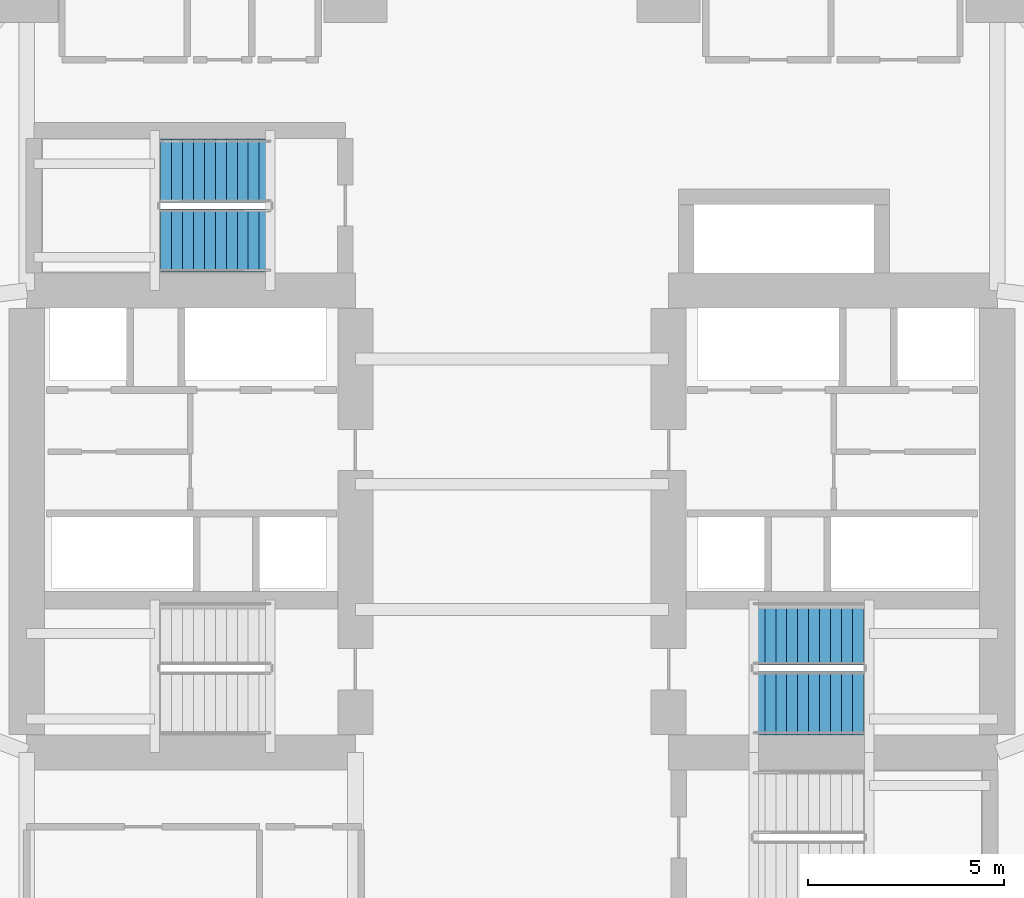
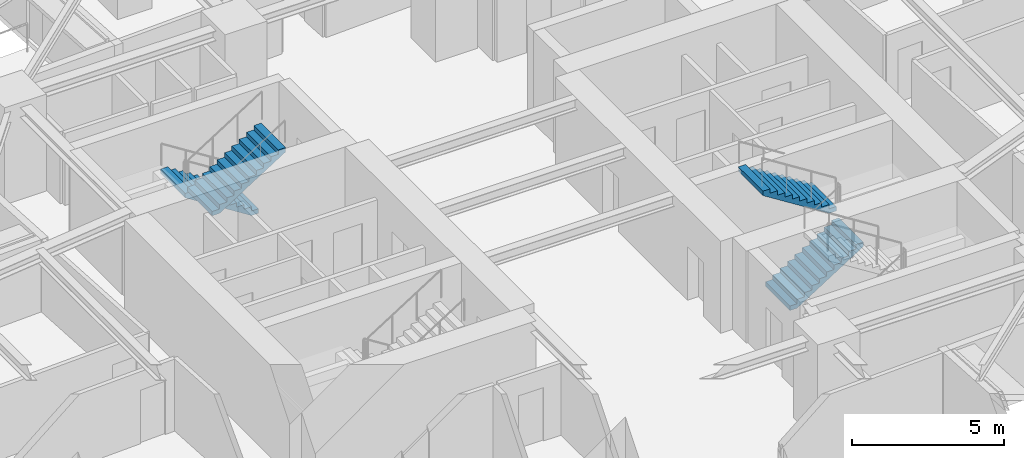
# One storey, part 9 of 14: 4 stair flights, 2 elements without a shape of their own.
"""IFC4 building model written with IfcOpenShell, lengths in metres."""

import ifcopenshell
import ifcopenshell.guid

model = None  # the IFC model being written
_history = None  # IfcOwnerHistory: only IFC2X3 demands one
_inside = {}  # id of a spatial element -> (the spatial element, [elements in it])
_under = {}  # id of a project, library or spatial element -> (it, [spatial elements below it])
_declared = {}  # id of a project -> (the project, [libraries it declares])
_typed = {}  # id of a type object -> (the type object, [elements of that type])
_made_of = {}  # id of a material, layer set ... -> (it, [elements and type objects made of it])


def new_model(schema):
    """Start an empty IFC model of exactly this schema.

    Asked for "IFC4X3", IfcOpenShell would pick the latest addendum, in which some entities
    have other attributes; the version numbers below select the first issue.
    IFC2X3 requires an IfcOwnerHistory on every rooted entity: one is made here for all.
    """
    global model, _history
    if schema == "IFC4X3":
        model = ifcopenshell.file(schema_version=(4, 3, 0, 0))
    else:
        model = ifcopenshell.file(schema=schema)
    _inside.clear()
    _under.clear()
    _declared.clear()
    _typed.clear()
    _made_of.clear()
    _history = None
    if model.schema == "IFC2X3":
        org = make("IfcOrganization", Name="unknown")
        user = make(
            "IfcPersonAndOrganization",
            ThePerson=make("IfcPerson", FamilyName="unknown"),
            TheOrganization=org,
        )
        app = make(
            "IfcApplication",
            ApplicationDeveloper=org,
            Version="unknown",
            ApplicationFullName="unknown",
            ApplicationIdentifier="unknown",
        )
        _history = make(
            "IfcOwnerHistory",
            OwningUser=user,
            OwningApplication=app,
            ChangeAction="ADDED",
            CreationDate=0,
        )
    return model


def make(cls, **values):
    """One entity of the class cls with the attributes given. An attribute that is None is left unset."""
    return model.create_entity(
        cls, **{name: value for name, value in values.items() if value is not None}
    )


def rooted(cls, **values):
    """An entity with a GlobalId (a new one), such as an element, a storey or a relation."""
    return make(cls, GlobalId=ifcopenshell.guid.new(), OwnerHistory=_history, **values)


def si_unit(unit_type, name, prefix=None):
    """IfcSIUnit, for example si_unit("LENGTHUNIT", "METRE", prefix="MILLI")."""
    return make("IfcSIUnit", UnitType=unit_type, Prefix=prefix, Name=name)


def assignment(units):
    """IfcUnitAssignment: the units of a project."""
    return None if units is None else make("IfcUnitAssignment", Units=units)


def point(xyz):
    """IfcCartesianPoint."""
    return None if xyz is None else make("IfcCartesianPoint", Coordinates=xyz)


def direction(xyz):
    """IfcDirection."""
    return None if xyz is None else make("IfcDirection", DirectionRatios=xyz)


def frame(location, z_axis=None, x_axis=None):
    """IfcAxis2Placement3D, a coordinate frame: its origin and axes. An axis left out is left unset."""
    return make(
        "IfcAxis2Placement3D",
        Location=point(location),
        Axis=direction(z_axis),
        RefDirection=direction(x_axis),
    )


def origin():
    """The frame at (0, 0, 0) with its axes left unset."""
    return frame((0.0, 0.0, 0.0))


def place(relative_to, where):
    """IfcLocalPlacement: puts the frame where relative to a parent placement (None: the world)."""
    return make(
        "IfcLocalPlacement", PlacementRelTo=relative_to, RelativePlacement=where
    )


def context(
    kind, dimensions, precision=None, world=None, true_north=None, identifier=None
):
    """IfcGeometricRepresentationContext, for example the 3D "Model" context."""
    return make(
        "IfcGeometricRepresentationContext",
        ContextIdentifier=identifier,
        ContextType=kind,
        CoordinateSpaceDimension=dimensions,
        Precision=precision,
        WorldCoordinateSystem=world,
        TrueNorth=true_north,
    )


def subcontext(parent, identifier, kind, view, scale=None):
    """IfcGeometricRepresentationSubContext, for example "Body" below "Model"."""
    return make(
        "IfcGeometricRepresentationSubContext",
        ContextIdentifier=identifier,
        ContextType=kind,
        ParentContext=parent,
        TargetScale=scale,
        TargetView=view,
    )


def project(units=None, contexts=None):
    """IfcProject with its units and contexts."""
    return rooted(
        "IfcProject",
        Name="project",
        RepresentationContexts=contexts,
        UnitsInContext=assignment(units),
    )


def spatial(cls, under=None, at=None, **own):
    """A site, building, storey or space (cls), placed at a placement, below another one or the project."""
    s = rooted(cls, ObjectPlacement=at, **own)
    if under is not None:
        _under.setdefault(under.id(), (under, []))[1].append(s)
    return s


def polyline(points):
    """IfcPolyline through the points."""
    return make("IfcPolyline", Points=[point(p) for p in points])


def outline(outer, holes=None, kind="AREA"):
    """IfcArbitraryClosedProfileDef: a profile drawn as a closed curve; with holes, ...WithVoids."""
    if holes is None:
        return make("IfcArbitraryClosedProfileDef", ProfileType=kind, OuterCurve=outer)
    return make(
        "IfcArbitraryProfileDefWithVoids",
        ProfileType=kind,
        OuterCurve=outer,
        InnerCurves=holes,
    )


def extrude(swept, where, along, depth):
    """IfcExtrudedAreaSolid: the profile swept, set in the frame where, extruded along a direction by depth."""
    return make(
        "IfcExtrudedAreaSolid",
        SweptArea=swept,
        Position=where,
        ExtrudedDirection=direction(along),
        Depth=depth,
    )


def shape(context_of_items, identifier, shape_type, items):
    """IfcShapeRepresentation: the items that make up one representation, for example the "Body"."""
    return make(
        "IfcShapeRepresentation",
        ContextOfItems=context_of_items,
        RepresentationIdentifier=identifier,
        RepresentationType=shape_type,
        Items=items,
    )


def material(Name=None, Category=None):
    """IfcMaterial."""
    return make("IfcMaterial", Name=Name, Category=Category)


def layer(
    of_material, thickness, ventilated=None, Name=None, Category=None, Priority=None
):
    """IfcMaterialLayer: one layer of a wall or slab, of a material (None: an air gap)."""
    return make(
        "IfcMaterialLayer",
        Material=of_material,
        LayerThickness=thickness,
        IsVentilated=ventilated,
        Name=Name,
        Category=Category,
        Priority=Priority,
    )


def layer_set(layers, Name=None):
    """IfcMaterialLayerSet."""
    return make("IfcMaterialLayerSet", MaterialLayers=layers, LayerSetName=Name)


def made_of(thing, what):
    """Note that an element or type object is made of a material, layer set ...; save() writes the relation."""
    if what is not None:
        _made_of.setdefault(what.id(), (what, []))[1].append(thing)
    return thing


def type_object(cls, material=None, **own):
    """A type object (cls), such as IfcWallType, which elements share."""
    return made_of(rooted(cls, **own), material)


def element(
    cls,
    number,
    at=None,
    inside=None,
    cuts=None,
    type_object=None,
    material=None,
    context=None,
    identifier="Body",
    shape_type=None,
    held_by="IfcProductDefinitionShape",
    body=None,
    shapes=None,
    **own,
):
    """One element of the class cls, such as IfcWall. Its Tag is "e" and its number.

    at: its placement. inside: the storey or other place that contains it. cuts: it is an
    opening in that element (IfcRelVoidsElement). A single representation is given by context,
    identifier, shape_type and body (its items); several are given by shapes. held_by: the class
    of the entity that holds the representations. save() writes the other relations.
    """
    e = rooted(cls, Tag="e%d" % number, ObjectPlacement=at, **own)
    if body is not None:
        shapes = [shape(context, identifier, shape_type, body)]
    if shapes is not None:
        e.Representation = make(held_by, Representations=shapes)
    if inside is not None:
        _inside.setdefault(inside.id(), (inside, []))[1].append(e)
    if cuts is not None:
        rooted(
            "IfcRelVoidsElement", RelatingBuildingElement=cuts, RelatedOpeningElement=e
        )
    if type_object is not None:
        _typed.setdefault(type_object.id(), (type_object, []))[1].append(e)
    return made_of(e, material)


def aggregate(whole, parts):
    """IfcRelAggregates: a whole, such as a stair, and the parts it consists of."""
    return rooted("IfcRelAggregates", RelatingObject=whole, RelatedObjects=parts)


def save(model, path):
    """Write the relations noted so far, then the file.

    IfcRelAggregates (storeys below a building ...), IfcRelContainedInSpatialStructure (elements
    in a storey), IfcRelDefinesByType, IfcRelAssociatesMaterial and IfcRelDeclares: one each for
    every whole, place, type object, material and project.
    """
    for whole, parts in _under.values():
        aggregate(whole, parts)
    for where, things in _inside.values():
        rooted(
            "IfcRelContainedInSpatialStructure",
            RelatedElements=things,
            RelatingStructure=where,
        )
    for kind, things in _typed.values():
        rooted("IfcRelDefinesByType", RelatedObjects=things, RelatingType=kind)
    for what, things in _made_of.values():
        rooted("IfcRelAssociatesMaterial", RelatedObjects=things, RelatingMaterial=what)
    for by, libraries in _declared.values():
        rooted("IfcRelDeclares", RelatingContext=by, RelatedDefinitions=libraries)
    model.write(path)


model = new_model("IFC4")

# Units and contexts
model_context = context("Model", 3, precision=1e-05, world=origin(), true_north=direction((0.0, 1.0)))
body_context = subcontext(model_context, "Body", "Model", "MODEL_VIEW")
ifc_project = project(units=[si_unit("LENGTHUNIT", "METRE"), si_unit("AREAUNIT", "SQUARE_METRE"), si_unit("VOLUMEUNIT", "CUBIC_METRE"), si_unit("PLANEANGLEUNIT", "RADIAN"), si_unit("MASSUNIT", "GRAM", prefix="KILO")], contexts=[model_context])

# Site, building, storey
site_placement = place(None, origin())
site = spatial("IfcSite", under=ifc_project, at=site_placement, CompositionType="ELEMENT")
building_placement = place(site_placement, origin())
building = spatial("IfcBuilding", under=site, at=building_placement, Name="Qingluan Cross Belvedere", CompositionType="ELEMENT")
storey_placement = place(building_placement, frame((0.0, 0.0, 35.39990234375)))
storey = spatial("IfcBuildingStorey", under=building, at=storey_placement, Name="L09", CompositionType="ELEMENT", Elevation=35.39990234375)

# Stair, stair flights
ifc_material_1 = material(Name="Concrete C40", Category="concrete")
stair_type = type_object("IfcStairType", Name="CoreDoglegStair_1620", PredefinedType="HALF_TURN_STAIR", material=ifc_material_1)
stair_1_placement = place(storey_placement, origin())
stair_1 = element("IfcStair", 1, at=stair_1_placement, inside=storey, type_object=stair_type, Name="L09 ST2", PredefinedType="HALF_TURN_STAIR")
ifc_material_2 = material(Name="Concrete C40", Category="concrete")
ifc_layer = layer(ifc_material_2, 0.179931640625, Name="StairFlight_RC180")
ifc_layer_set = layer_set([ifc_layer], Name="Concrete C40")
stair_flight_type = type_object("IfcStairFlightType", Name="StairFlight_RC180", PredefinedType="STRAIGHT", material=ifc_layer_set)
stair_flight_1_placement = place(storey_placement, frame((6.179931640625, -5.590087890625, 0.0), z_axis=(0.0, 0.0, 1.0), x_axis=(1.0, 0.0, 0.0)))
stair_flight_1 = element("IfcStairFlight", 2, at=stair_flight_1_placement, type_object=stair_flight_type, Name="ST2 flight 1", NumberOfRisers=11, NumberOfTreads=10, PredefinedType="STRAIGHT", RiserHeight=0.177272727, TreadLength=0.28, context=body_context, shape_type="SweptSolid", body=[
    extrude(outline(polyline([(0.0, 0.0), (0.0, 0.17724609375), (0.280029296875, 0.17724609375), (0.280029296875, 0.3544921875), (0.56005859375, 0.3544921875), (0.56005859375, 0.53173828125), (0.840087890625, 0.53173828125), (0.840087890625, 0.708984375), (1.1201171875, 0.708984375), (1.1201171875, 0.886474609375), (1.39990234375, 0.886474609375), (1.39990234375, 1.063720703125), (1.679931640625, 1.063720703125), (1.679931640625, 1.240966796875), (1.9599609375, 1.240966796875), (1.9599609375, 1.418212890625), (2.239990234375, 1.418212890625), (2.239990234375, 1.595458984375), (2.52001953125, 1.595458984375), (2.52001953125, 1.772705078125), (2.800048828125, 1.772705078125), (2.800048828125, 1.949951171875), (2.800048828125, 1.59521484375), (0.2802734375, 0.0), (0.0, 0.0)])), frame((0.0, 0.81005859375, 0.0), z_axis=(0.0, -1.0, 0.0), x_axis=(1.0, 0.0, 0.0)), (0.0, 0.0, 1.0), 1.6201171875),
])
stair_flight_2_placement = place(storey_placement, frame((8.97998046875, -3.81005859375, 1.9501953125), z_axis=(0.0, 0.0, 1.0), x_axis=(-1.0, 0.0, 0.0)))
stair_flight_2 = element("IfcStairFlight", 3, at=stair_flight_2_placement, type_object=stair_flight_type, Name="ST2 flight 2", NumberOfRisers=11, NumberOfTreads=10, PredefinedType="STRAIGHT", RiserHeight=0.177272727, TreadLength=0.28, context=body_context, shape_type="SweptSolid", body=[
    extrude(outline(polyline([(0.0, 0.0), (0.0, 0.17724609375), (0.280029296875, 0.17724609375), (0.280029296875, 0.3544921875), (0.56005859375, 0.3544921875), (0.56005859375, 0.53173828125), (0.840087890625, 0.53173828125), (0.840087890625, 0.708984375), (1.1201171875, 0.708984375), (1.1201171875, 0.886474609375), (1.39990234375, 0.886474609375), (1.39990234375, 1.063720703125), (1.679931640625, 1.063720703125), (1.679931640625, 1.240966796875), (1.9599609375, 1.240966796875), (1.9599609375, 1.418212890625), (2.239990234375, 1.418212890625), (2.239990234375, 1.595458984375), (2.52001953125, 1.595458984375), (2.52001953125, 1.772705078125), (2.800048828125, 1.772705078125), (2.800048828125, 1.949951171875), (2.800048828125, 1.59521484375), (0.2802734375, 0.0), (0.0, 0.0)])), frame((0.0, 0.81005859375, 0.0), z_axis=(0.0, -1.0, 0.0), x_axis=(1.0, 0.0, 0.0)), (0.0, 0.0, 1.0), 1.6201171875),
])
aggregate(stair_1, [stair_flight_1, stair_flight_2])

stair_2_placement = place(storey_placement, origin())
stair_2 = element("IfcStair", 4, at=stair_2_placement, inside=storey, type_object=stair_type, Name="L09 ST3", PredefinedType="HALF_TURN_STAIR")
stair_flight_3_placement = place(storey_placement, frame((-6.179931640625, 8.010009765625, 0.0), z_axis=(0.0, 0.0, 1.0), x_axis=(-1.0, 0.0, 0.0)))
stair_flight_3 = element("IfcStairFlight", 5, at=stair_flight_3_placement, type_object=stair_flight_type, Name="ST3 flight 1", NumberOfRisers=11, NumberOfTreads=10, PredefinedType="STRAIGHT", RiserHeight=0.177272727, TreadLength=0.28, context=body_context, shape_type="SweptSolid", body=[
    extrude(outline(polyline([(0.0, 0.0), (0.0, 0.17724609375), (0.280029296875, 0.17724609375), (0.280029296875, 0.3544921875), (0.56005859375, 0.3544921875), (0.56005859375, 0.53173828125), (0.840087890625, 0.53173828125), (0.840087890625, 0.708984375), (1.1201171875, 0.708984375), (1.1201171875, 0.886474609375), (1.39990234375, 0.886474609375), (1.39990234375, 1.063720703125), (1.679931640625, 1.063720703125), (1.679931640625, 1.240966796875), (1.9599609375, 1.240966796875), (1.9599609375, 1.418212890625), (2.239990234375, 1.418212890625), (2.239990234375, 1.595458984375), (2.52001953125, 1.595458984375), (2.52001953125, 1.772705078125), (2.800048828125, 1.772705078125), (2.800048828125, 1.949951171875), (2.800048828125, 1.59521484375), (0.2802734375, 0.0), (0.0, 0.0)])), frame((0.0, 0.81005859375, 0.0), z_axis=(0.0, -1.0, 0.0), x_axis=(1.0, 0.0, 0.0)), (0.0, 0.0, 1.0), 1.6201171875),
])
stair_flight_4_placement = place(storey_placement, frame((-8.97998046875, 6.22998046875, 1.9501953125), z_axis=(0.0, 0.0, 1.0), x_axis=(1.0, 0.0, 0.0)))
stair_flight_4 = element("IfcStairFlight", 6, at=stair_flight_4_placement, type_object=stair_flight_type, Name="ST3 flight 2", NumberOfRisers=11, NumberOfTreads=10, PredefinedType="STRAIGHT", RiserHeight=0.177272727, TreadLength=0.28, context=body_context, shape_type="SweptSolid", body=[
    extrude(outline(polyline([(0.0, 0.0), (0.0, 0.17724609375), (0.280029296875, 0.17724609375), (0.280029296875, 0.3544921875), (0.56005859375, 0.3544921875), (0.56005859375, 0.53173828125), (0.840087890625, 0.53173828125), (0.840087890625, 0.708984375), (1.1201171875, 0.708984375), (1.1201171875, 0.886474609375), (1.39990234375, 0.886474609375), (1.39990234375, 1.063720703125), (1.679931640625, 1.063720703125), (1.679931640625, 1.240966796875), (1.9599609375, 1.240966796875), (1.9599609375, 1.418212890625), (2.239990234375, 1.418212890625), (2.239990234375, 1.595458984375), (2.52001953125, 1.595458984375), (2.52001953125, 1.772705078125), (2.800048828125, 1.772705078125), (2.800048828125, 1.949951171875), (2.800048828125, 1.59521484375), (0.2802734375, 0.0), (0.0, 0.0)])), frame((0.0, 0.81005859375, 0.0), z_axis=(0.0, -1.0, 0.0), x_axis=(1.0, 0.0, 0.0)), (0.0, 0.0, 1.0), 1.6201171875),
])
aggregate(stair_2, [stair_flight_3, stair_flight_4])

save(model, "model.ifc")
